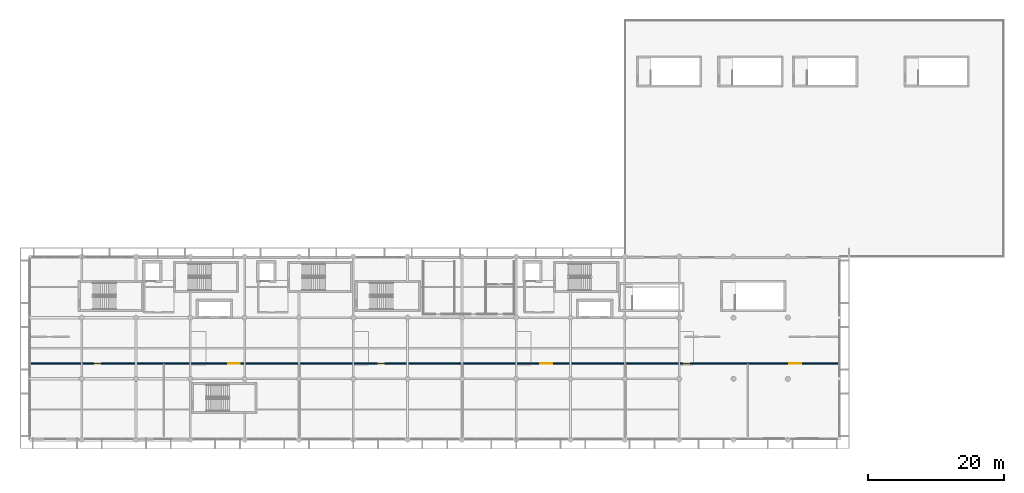
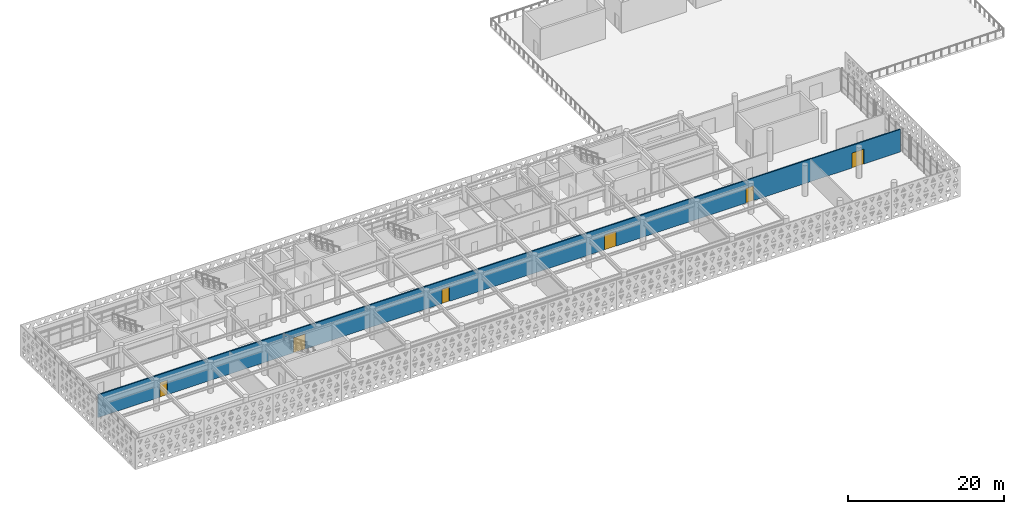
# One storey, part 22 of 33: 6 doors, 1 wall, 6 openings.
"""IFC4 building model written with IfcOpenShell, lengths in metres."""

from ifc_helpers import new_model, si_unit, direction, frame, frame_2d, origin, place, context, subcontext, project, spatial, rectangle, extrude, material, layer, layer_set, type_object, element, fill, save


model = new_model("IFC4")

# Units and contexts
model_context = context("Model", 3, precision=1e-05, world=origin(), true_north=direction((0.0, 1.0)))
body_context = subcontext(model_context, "Body", "Model", "MODEL_VIEW")
ifc_project = project(units=[si_unit("LENGTHUNIT", "METRE"), si_unit("AREAUNIT", "SQUARE_METRE"), si_unit("VOLUMEUNIT", "CUBIC_METRE"), si_unit("PLANEANGLEUNIT", "RADIAN"), si_unit("MASSUNIT", "GRAM", prefix="KILO")], contexts=[model_context])

# Site, building, storey
site_placement = place(None, origin())
site = spatial("IfcSite", under=ifc_project, at=site_placement, CompositionType="ELEMENT")
building_placement = place(site_placement, origin())
building = spatial("IfcBuilding", under=site, at=building_placement, Name="Tlacozan Convention Centre", CompositionType="ELEMENT")
storey_placement = place(building_placement, frame((0.0, 0.0, 16.199951171875)))
storey = spatial("IfcBuildingStorey", under=building, at=storey_placement, Name="L03", CompositionType="ELEMENT", Elevation=16.199951171875)

# Wall, openings, doors
ifc_material_1 = material(Name="Fire-Rated Gypsum Stud Partition Assembly")
ifc_layer = layer(ifc_material_1, 0.179931640625)
ifc_layer_set = layer_set([ifc_layer], Name="Fire-Rated Gypsum Stud Partition Assembly")
wall_type = type_object("IfcWallType", Name="Corridor Rated Partition 180", PredefinedType="PARTITIONING", material=ifc_layer_set)
wall_placement = place(storey_placement, frame((0.60009765625, 11.25, 0.0), z_axis=(0.0, 0.0, 1.0), x_axis=(1.0, 0.0, 0.0)))
wall = element("IfcWall", 1, at=wall_placement, inside=storey, type_object=wall_type, Name="L03 Corridor Rated Partition 180 601", PredefinedType="PARTITIONING", context=body_context, shape_type="SweptSolid", body=[
    extrude(rectangle(XDim=118.7998046875, YDim=0.179931640625, at=frame_2d((59.39990234375, 0.0))), origin(), (0.0, 0.0, 1.0), 3.550048828125),
])
opening_1_placement = place(wall_placement, frame((9.199951171875, 0.0, 0.0)))
opening_1 = element("IfcOpeningElement", 2, at=opening_1_placement, cuts=wall, Name="Opening ID-15", PredefinedType="OPENING", context=body_context, shape_type="SweptSolid", body=[
    extrude(rectangle(XDim=1.080078125, YDim=2.300048828125, at=frame_2d((0.5400390625, 1.14990234375))), frame((0.0, 0.099853515625, 0.0), z_axis=(0.0, -1.0, 0.0), x_axis=(1.0, 0.0, 0.0)), (0.0, 0.0, 1.0), 0.199951171875),
])
opening_2_placement = place(wall_placement, frame((28.949951171875, 0.0, 0.0)))
opening_2 = element("IfcOpeningElement", 3, at=opening_2_placement, cuts=wall, Name="Opening ID-16", PredefinedType="OPENING", context=body_context, shape_type="SweptSolid", body=[
    extrude(rectangle(XDim=1.75, YDim=2.35009765625, at=frame_2d((0.875, 1.175048828125))), frame((0.0, 0.099853515625, 0.0), z_axis=(0.0, -1.0, 0.0), x_axis=(1.0, 0.0, 0.0)), (0.0, 0.0, 1.0), 0.199951171875),
])
opening_3_placement = place(wall_placement, frame((50.949951171875, 0.0, 0.0)))
opening_3 = element("IfcOpeningElement", 4, at=opening_3_placement, cuts=wall, Name="Opening ID-15", PredefinedType="OPENING", context=body_context, shape_type="SweptSolid", body=[
    extrude(rectangle(XDim=1.080078125, YDim=2.300048828125, at=frame_2d((0.5400390625, 1.14990234375))), frame((0.0, 0.099853515625, 0.0), z_axis=(0.0, -1.0, 0.0), x_axis=(1.0, 0.0, 0.0)), (0.0, 0.0, 1.0), 0.199951171875),
])
opening_4_placement = place(wall_placement, frame((74.949951171875, 0.0, 0.0)))
opening_4 = element("IfcOpeningElement", 5, at=opening_4_placement, cuts=wall, Name="Opening ID-16", PredefinedType="OPENING", context=body_context, shape_type="SweptSolid", body=[
    extrude(rectangle(XDim=1.75, YDim=2.35009765625, at=frame_2d((0.875, 1.175048828125))), frame((0.0, 0.099853515625, 0.0), z_axis=(0.0, -1.0, 0.0), x_axis=(1.0, 0.0, 0.0)), (0.0, 0.0, 1.0), 0.199951171875),
])
opening_5_placement = place(wall_placement, frame((95.949951171875, 0.0, 0.0)))
opening_5 = element("IfcOpeningElement", 6, at=opening_5_placement, cuts=wall, Name="Opening ID-15", PredefinedType="OPENING", context=body_context, shape_type="SweptSolid", body=[
    extrude(rectangle(XDim=1.080078125, YDim=2.300048828125, at=frame_2d((0.5400390625, 1.14990234375))), frame((0.0, 0.099853515625, 0.0), z_axis=(0.0, -1.0, 0.0), x_axis=(1.0, 0.0, 0.0)), (0.0, 0.0, 1.0), 0.199951171875),
])
opening_6_placement = place(wall_placement, frame((111.60009765625, 0.0, 0.0)))
opening_6 = element("IfcOpeningElement", 7, at=opening_6_placement, cuts=wall, Name="Opening ID-16", PredefinedType="OPENING", context=body_context, shape_type="SweptSolid", body=[
    extrude(rectangle(XDim=1.75, YDim=2.35009765625, at=frame_2d((0.875, 1.175048828125))), frame((0.0, 0.099853515625, 0.0), z_axis=(0.0, -1.0, 0.0), x_axis=(1.0, 0.0, 0.0)), (0.0, 0.0, 1.0), 0.199951171875),
])
ifc_material_2 = material(Name="Acoustic Solid-Core Oak Veneer Door")
door_type_1 = type_object("IfcDoorType", Name="Press Studio Acoustic Door 1080x2300", OperationType="NOTDEFINED", PredefinedType="DOOR", material=ifc_material_2)
door_1_placement = place(opening_1_placement, origin())
door_1 = element("IfcDoor", 8, at=door_1_placement, inside=storey, type_object=door_type_1, Name="L03 Press Studio Acoustic Door 1080x2300 195", OperationType="SINGLE_SWING_RIGHT", OverallHeight=2.300048828125, OverallWidth=1.080078125, PredefinedType="DOOR", context=body_context, shape_type="SweptSolid", body=[
    extrude(rectangle(XDim=1.080078125, YDim=2.300048828125, at=frame_2d((0.5400390625, 1.14990234375))), frame((0.0, 0.02490234375, 0.0), z_axis=(0.0, -1.0, 0.0), x_axis=(1.0, 0.0, 0.0)), (0.0, 0.0, 1.0), 0.050048828125),
])
fill(opening_1, door_1)
door_2_placement = place(opening_3_placement, origin())
door_2 = element("IfcDoor", 9, at=door_2_placement, inside=storey, type_object=door_type_1, Name="L03 Press Studio Acoustic Door 1080x2300 197", OperationType="SINGLE_SWING_RIGHT", OverallHeight=2.300048828125, OverallWidth=1.080078125, PredefinedType="DOOR", context=body_context, shape_type="SweptSolid", body=[
    extrude(rectangle(XDim=1.080078125, YDim=2.300048828125, at=frame_2d((0.5400390625, 1.14990234375))), frame((0.0, 0.02490234375, 0.0), z_axis=(0.0, -1.0, 0.0), x_axis=(1.0, 0.0, 0.0)), (0.0, 0.0, 1.0), 0.050048828125),
])
fill(opening_3, door_2)
door_3_placement = place(opening_5_placement, origin())
door_3 = element("IfcDoor", 10, at=door_3_placement, inside=storey, type_object=door_type_1, Name="L03 Press Studio Acoustic Door 1080x2300 199", OperationType="SINGLE_SWING_RIGHT", OverallHeight=2.300048828125, OverallWidth=1.080078125, PredefinedType="DOOR", context=body_context, shape_type="SweptSolid", body=[
    extrude(rectangle(XDim=1.080078125, YDim=2.300048828125, at=frame_2d((0.5400390625, 1.14990234375))), frame((0.0, 0.02490234375, 0.0), z_axis=(0.0, -1.0, 0.0), x_axis=(1.0, 0.0, 0.0)), (0.0, 0.0, 1.0), 0.050048828125),
])
fill(opening_5, door_3)
door_type_2 = type_object("IfcDoorType", Name="Salon Double Door 1750x2350", OperationType="DOUBLE_DOOR_SINGLE_SWING", PredefinedType="DOOR", material=ifc_material_2)
door_4_placement = place(opening_2_placement, origin())
door_4 = element("IfcDoor", 11, at=door_4_placement, inside=storey, type_object=door_type_2, Name="L03 Salon Double Door 1750x2350 196", OperationType="DOUBLE_DOOR_SINGLE_SWING", OverallHeight=2.35009765625, OverallWidth=1.75, PredefinedType="DOOR", context=body_context, shape_type="SweptSolid", body=[
    extrude(rectangle(XDim=1.75, YDim=2.35009765625, at=frame_2d((0.875, 1.175048828125))), frame((0.0, 0.02490234375, 0.0), z_axis=(0.0, -1.0, 0.0), x_axis=(1.0, 0.0, 0.0)), (0.0, 0.0, 1.0), 0.050048828125),
])
fill(opening_2, door_4)
door_5_placement = place(opening_4_placement, origin())
door_5 = element("IfcDoor", 12, at=door_5_placement, inside=storey, type_object=door_type_2, Name="L03 Salon Double Door 1750x2350 198", OperationType="DOUBLE_DOOR_SINGLE_SWING", OverallHeight=2.35009765625, OverallWidth=1.75, PredefinedType="DOOR", context=body_context, shape_type="SweptSolid", body=[
    extrude(rectangle(XDim=1.75, YDim=2.35009765625, at=frame_2d((0.875, 1.175048828125))), frame((0.0, 0.02490234375, 0.0), z_axis=(0.0, -1.0, 0.0), x_axis=(1.0, 0.0, 0.0)), (0.0, 0.0, 1.0), 0.050048828125),
])
fill(opening_4, door_5)
door_6_placement = place(opening_6_placement, origin())
door_6 = element("IfcDoor", 13, at=door_6_placement, inside=storey, type_object=door_type_2, Name="L03 Salon Double Door 1750x2350 200", OperationType="DOUBLE_DOOR_SINGLE_SWING", OverallHeight=2.35009765625, OverallWidth=1.75, PredefinedType="DOOR", context=body_context, shape_type="SweptSolid", body=[
    extrude(rectangle(XDim=1.75, YDim=2.35009765625, at=frame_2d((0.875, 1.175048828125))), frame((0.0, 0.02490234375, 0.0), z_axis=(0.0, -1.0, 0.0), x_axis=(1.0, 0.0, 0.0)), (0.0, 0.0, 1.0), 0.050048828125),
])
fill(opening_6, door_6)

save(model, "model.ifc")
